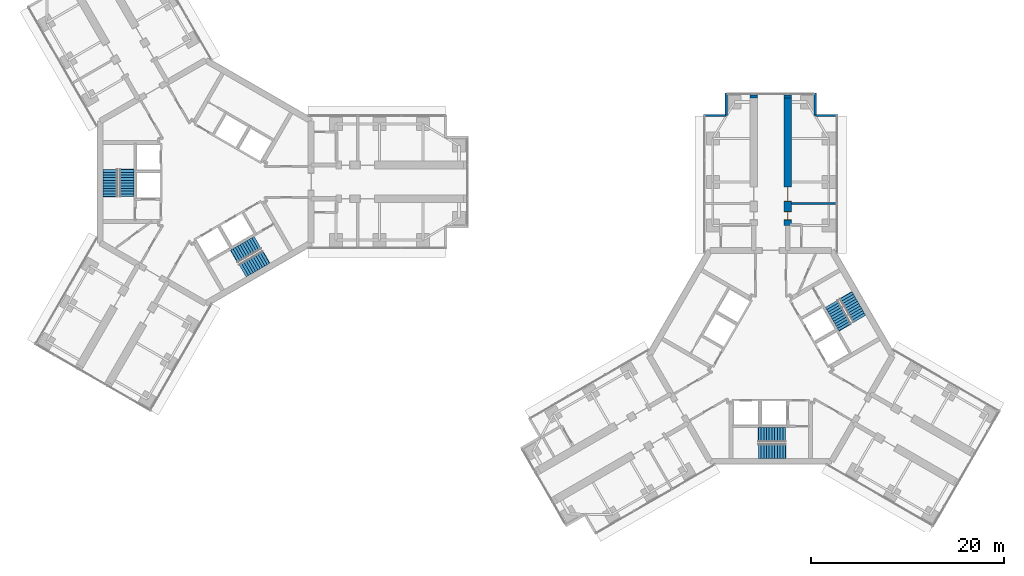
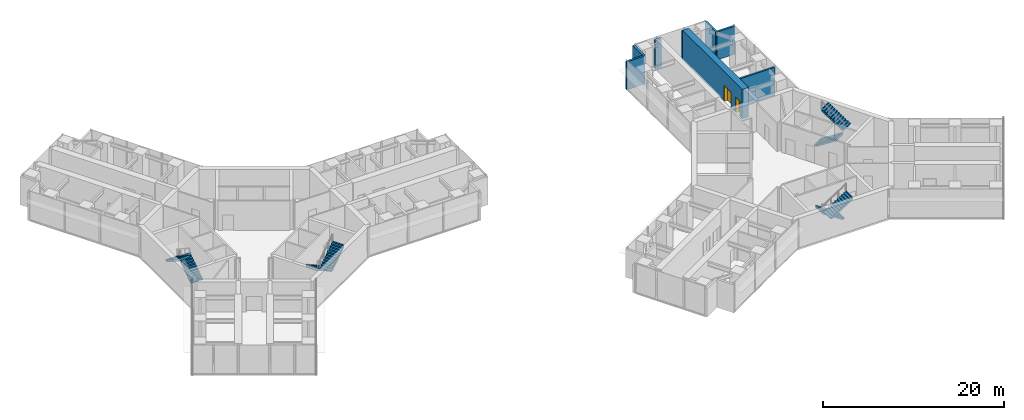
# One storey, part 20 of 21: 8 stair flights, 8 walls, 2 doors, 2 openings, 4 elements without a shape of their own.
"""IFC4 building model written with IfcOpenShell, lengths in metres."""

from ifc_helpers import new_model, si_unit, direction, frame, frame_2d, origin, place, context, subcontext, project, spatial, polyline, rectangle, outline, extrude, material, layer, layer_set, type_object, element, fill, aggregate, save


model = new_model("IFC4")

# Units and contexts
model_context = context("Model", 3, precision=1e-05, world=origin(), true_north=direction((0.0, 1.0)))
body_context = subcontext(model_context, "Body", "Model", "MODEL_VIEW")
ifc_project = project(units=[si_unit("LENGTHUNIT", "METRE"), si_unit("AREAUNIT", "SQUARE_METRE"), si_unit("VOLUMEUNIT", "CUBIC_METRE"), si_unit("PLANEANGLEUNIT", "RADIAN"), si_unit("MASSUNIT", "GRAM", prefix="KILO")], contexts=[model_context])

# Site, building, storey
site_placement = place(None, origin())
site = spatial("IfcSite", under=ifc_project, at=site_placement, CompositionType="ELEMENT")
building_placement = place(site_placement, origin())
building = spatial("IfcBuilding", under=site, at=building_placement, Name="Upepo Twin Towers", CompositionType="ELEMENT")
storey_placement = place(building_placement, frame((0.0, 0.0, 101.5)))
storey = spatial("IfcBuildingStorey", under=building, at=storey_placement, Name="L24", CompositionType="ELEMENT", Elevation=101.5)

# Walls
ifc_material_1 = material(Name="Concrete blockwork, plastered both faces", Category="masonry")
ifc_layer_1 = layer(ifc_material_1, 0.215087890625)
ifc_layer_set_1 = layer_set([ifc_layer_1], Name="Blockwork partition 215")
wall_type_1 = type_object("IfcWallType", Name="Blockwork partition 215", PredefinedType="PARTITIONING", material=ifc_layer_set_1)
wall_1_placement = place(storey_placement, frame((60.64990234375, -2.25, 0.0), z_axis=(0.0, 0.0, 1.0), x_axis=(1.0, 0.0, 0.0)))
element("IfcWall", 1, at=wall_1_placement, inside=storey, type_object=wall_type_1, Name="T2 partition AR at 15.75", PredefinedType="PARTITIONING", context=body_context, shape_type="SweptSolid", body=[
    extrude(rectangle(XDim=4.60009765625, YDim=0.215087890625, at=frame_2d((2.300048828125, 0.0))), origin(), (0.0, 0.0, 1.0), 3.800048828125),
])
ifc_material_2 = material(Name="Dense concrete blockwork", Category="masonry")
ifc_layer_2 = layer(ifc_material_2, 0.800048828125)
ifc_layer_set_2 = layer_set([ifc_layer_2], Name="Buttress closer 800, blockwork with fire-stopping to the curtain wall")
wall_type_2 = type_object("IfcWallType", Name="Buttress closer 800, blockwork with fire-stopping to the curtain wall", PredefinedType="PARTITIONING", material=ifc_layer_set_2)
for number, where, z_axis, x_axis, name in (
    (2, (56.75, 8.699951171875, 0.0), (0.0, 0.0, 1.0), (0.0, 1.0, 0.0), "T2 L24 wing A buttress closer L"),
    (3, (60.25, 8.699951171875, 0.0), (0.0, 0.0, 1.0), (0.0, 1.0, 0.0), "T2 L24 wing A buttress closer R"),
):
    element("IfcWall", number, at=place(storey_placement, frame(where, z_axis=z_axis, x_axis=x_axis)), inside=storey, type_object=wall_type_2, Name=name, PredefinedType="PARTITIONING", context=body_context, shape_type="SweptSolid", body=[
        extrude(rectangle(XDim=0.300048828125, YDim=0.800048828125, at=frame_2d((0.14990234375, 0.0))), origin(), (0.0, 0.0, 1.0), 3.800048828125),
    ])

# Wall, openings, doors
ifc_material_3 = material(Name="Concrete C60/75", Category="concrete")
ifc_layer_3 = layer(ifc_material_3, 0.800048828125)
ifc_layer_set_3 = layer_set([ifc_layer_3], Name="Concrete C60/75")
wall_type_3 = type_object("IfcWallType", Name="Buttress wall 800 RC", PredefinedType="SHEAR", material=ifc_layer_set_3)
wall_2_placement = place(storey_placement, frame((60.25, -4.5, 0.0), z_axis=(0.0, 0.0, 1.0), x_axis=(0.0, 1.0, 0.0)))
wall_2 = element("IfcWall", 4, at=wall_2_placement, inside=storey, type_object=wall_type_3, Name="T2 wing A buttress wall R part 2", PredefinedType="SHEAR", context=body_context, shape_type="SweptSolid", body=[
    extrude(rectangle(XDim=13.199951171875, YDim=0.800048828125, at=frame_2d((6.60009765625, 0.0))), origin(), (0.0, 0.0, 1.0), 4.0),
])
opening_1_placement = place(wall_2_placement, frame((0.550048828125, 0.0, 0.0)))
opening_1 = element("IfcOpeningElement", 5, at=opening_1_placement, cuts=wall_2, Name="Opening D11", PredefinedType="OPENING", context=body_context, shape_type="SweptSolid", body=[
    extrude(rectangle(XDim=0.89990234375, YDim=2.10009765625, at=frame_2d((0.449951171875, 1.050048828125))), frame((0.0, 0.409912109375, 0.0), z_axis=(0.0, -1.0, 0.0), x_axis=(1.0, 0.0, 0.0)), (0.0, 0.0, 1.0), 0.820068359375),
])
opening_2_placement = place(wall_2_placement, frame((2.5, 0.0, 0.0)))
opening_2 = element("IfcOpeningElement", 6, at=opening_2_placement, cuts=wall_2, Name="Opening D13", PredefinedType="OPENING", context=body_context, shape_type="SweptSolid", body=[
    extrude(rectangle(XDim=1.5, YDim=2.10009765625, at=frame_2d((0.75, 1.050048828125))), frame((0.0, 0.409912109375, 0.0), z_axis=(0.0, -1.0, 0.0), x_axis=(1.0, 0.0, 0.0)), (0.0, 0.0, 1.0), 0.820068359375),
])
ifc_material_4 = material(Name="Timber doorset", Category="wood")
door_type_1 = type_object("IfcDoorType", Name="Double door 1500 FD30", OperationType="DOUBLE_DOOR_SINGLE_SWING", PredefinedType="DOOR", material=ifc_material_4)
door_1_placement = place(opening_2_placement, origin())
door_1 = element("IfcDoor", 7, at=door_1_placement, inside=storey, type_object=door_type_1, Name="T2 L24 moot court door", OperationType="DOUBLE_DOOR_SINGLE_SWING", OverallHeight=2.10009765625, OverallWidth=1.5, PredefinedType="DOOR", context=body_context, shape_type="SweptSolid", body=[
    extrude(rectangle(XDim=1.42, YDim=2.06009765625, at=frame_2d((0.75, 1.030029296875))), frame((0.0, 0.02490234375, 0.0), z_axis=(0.0, -1.0, 0.0), x_axis=(1.0, 0.0, 0.0)), (0.0, 0.0, 1.0), 0.050048828125),
    extrude(rectangle(XDim=0.04, YDim=2.10009765625, at=frame_2d((0.02001953125, 1.050048828125))), frame((0.0, 0.39990234375, 0.0), z_axis=(0.0, -1.0, 0.0), x_axis=(1.0, 0.0, 0.0)), (0.0, 0.0, 1.0), 0.799560546875),
    extrude(rectangle(XDim=0.04, YDim=2.10009765625, at=frame_2d((1.47998046875, 1.050048828125))), frame((0.0, 0.39990234375, 0.0), z_axis=(0.0, -1.0, 0.0), x_axis=(1.0, 0.0, 0.0)), (0.0, 0.0, 1.0), 0.799560546875),
    extrude(rectangle(XDim=1.42, YDim=0.04, at=frame_2d((0.75, 2.080078125))), frame((0.0, 0.39990234375, 0.0), z_axis=(0.0, -1.0, 0.0), x_axis=(1.0, 0.0, 0.0)), (0.0, 0.0, 1.0), 0.799560546875),
])
fill(opening_2, door_1)
ifc_material_5 = material(Name="Timber doorset", Category="wood")
door_type_2 = type_object("IfcDoorType", Name="Toilet door 900", OperationType="SINGLE_SWING_LEFT", PredefinedType="DOOR", material=ifc_material_5)
door_2_placement = place(opening_1_placement, origin())
door_2 = element("IfcDoor", 8, at=door_2_placement, inside=storey, type_object=door_type_2, Name="T2 L24 toilets door", OperationType="SINGLE_SWING_LEFT", OverallHeight=2.10009765625, OverallWidth=0.89990234375, PredefinedType="DOOR", context=body_context, shape_type="SweptSolid", body=[
    extrude(rectangle(XDim=0.81990234375, YDim=2.06009765625, at=frame_2d((0.449951171875, 1.030029296875))), frame((0.0, 0.02490234375, 0.0), z_axis=(0.0, -1.0, 0.0), x_axis=(1.0, 0.0, 0.0)), (0.0, 0.0, 1.0), 0.050048828125),
    extrude(rectangle(XDim=0.04, YDim=2.10009765625, at=frame_2d((0.02001953125, 1.050048828125))), frame((0.0, 0.39990234375, 0.0), z_axis=(0.0, -1.0, 0.0), x_axis=(1.0, 0.0, 0.0)), (0.0, 0.0, 1.0), 0.799560546875),
    extrude(rectangle(XDim=0.04, YDim=2.10009765625, at=frame_2d((0.8798828125, 1.050048828125))), frame((0.0, 0.39990234375, 0.0), z_axis=(0.0, -1.0, 0.0), x_axis=(1.0, 0.0, 0.0)), (0.0, 0.0, 1.0), 0.799560546875),
    extrude(rectangle(XDim=0.81990234375, YDim=0.04, at=frame_2d((0.449951171875, 2.080078125))), frame((0.0, 0.39990234375, 0.0), z_axis=(0.0, -1.0, 0.0), x_axis=(1.0, 0.0, 0.0)), (0.0, 0.0, 1.0), 0.799560546875),
])
fill(opening_1, door_2)

# Walls
ifc_material_6 = material(Name="Blockwork with anodised aluminium cladding", Category="masonry")
ifc_layer_4 = layer(ifc_material_6, 0.25)
ifc_layer_set_4 = layer_set([ifc_layer_4], Name="Notch cladding wall 250, pale metal")
wall_type_4 = type_object("IfcWallType", Name="Notch cladding wall 250, pale metal", PredefinedType="STANDARD", material=ifc_layer_set_4)
for number, where, z_axis, x_axis, name in (
    (9, (51.550048828125, 6.875, 0.0), (0.0, 0.0, 1.0), (1.0, 0.0, 0.0), "T2 L24 wing A notch wall L1"),
    (10, (53.875, 6.875, 0.0), (0.0, 0.0, 1.0), (0.0, 1.0, 0.0), "T2 L24 wing A notch wall L2"),
    (11, (65.449951171875, 6.875, 0.0), (0.0, 0.0, 1.0), (-1.0, 0.0, 0.0), "T2 L24 wing A notch wall R1"),
    (12, (63.125, 6.875, 0.0), (0.0, 0.0, 1.0), (0.0, 1.0, 0.0), "T2 L24 wing A notch wall R2"),
):
    element("IfcWall", number, at=place(storey_placement, frame(where, z_axis=z_axis, x_axis=x_axis)), inside=storey, type_object=wall_type_4, Name=name, PredefinedType="STANDARD", context=body_context, shape_type="SweptSolid", body=[
        extrude(rectangle(XDim=2.324951171875, YDim=0.25, at=frame_2d((1.16259765625, 0.0))), origin(), (0.0, 0.0, 1.0), 3.800048828125),
    ])

# Stair, stair flights
ifc_material_7 = material(Name="Concrete C40/50", Category="concrete")
stair_type = type_object("IfcStairType", Name="Core stair, two flights", PredefinedType="HALF_TURN_STAIR", material=ifc_material_7)
stair_1_placement = place(storey_placement, origin())
stair_1 = element("IfcStair", 13, at=stair_1_placement, inside=storey, type_object=stair_type, Name="T1 stair S1 L24", PredefinedType="HALF_TURN_STAIR")
ifc_material_8 = material(Name="Concrete C40/50", Category="concrete")
stair_flight_type = type_object("IfcStairFlightType", Name="Stair flight 1500 RC", PredefinedType="STRAIGHT", material=ifc_material_8)
stair_flight_1_placement = place(storey_placement, frame((-8.14990234375, -1.52001953125, 0.0), z_axis=(0.0, 0.0, 1.0), x_axis=(0.0, 1.0, 0.0)))
stair_flight_1 = element("IfcStairFlight", 14, at=stair_flight_1_placement, type_object=stair_flight_type, Name="Stair S1 flight 1", NumberOfRisers=11, NumberOfTreads=10, PredefinedType="STRAIGHT", RiserHeight=0.181818182, TreadLength=0.28, context=body_context, shape_type="SweptSolid", body=[
    extrude(outline(polyline([(0.0, 0.0), (0.0, 0.181884765625), (0.280029296875, 0.181884765625), (0.280029296875, 0.363525390625), (0.56005859375, 0.363525390625), (0.56005859375, 0.54541015625), (0.840087890625, 0.54541015625), (0.840087890625, 0.727294921875), (1.1201171875, 0.727294921875), (1.1201171875, 0.9091796875), (1.39990234375, 0.9091796875), (1.39990234375, 1.0908203125), (1.679931640625, 1.0908203125), (1.679931640625, 1.272705078125), (1.9599609375, 1.272705078125), (1.9599609375, 1.45458984375), (2.239990234375, 1.45458984375), (2.239990234375, 1.636474609375), (2.52001953125, 1.636474609375), (2.52001953125, 1.818115234375), (2.800048828125, 1.818115234375), (2.800048828125, 2.0), (2.85009765625, 2.0), (2.85009765625, 1.639404296875), (0.3251953125, 0.0), (0.0, 0.0)])), frame((0.0, 0.75, 0.0), z_axis=(0.0, -1.0, 0.0), x_axis=(1.0, 0.0, 0.0)), (0.0, 0.0, 1.0), 1.5),
])
stair_flight_2_placement = place(storey_placement, frame((-9.8583984375, 1.280029296875, 2.0), z_axis=(0.0, 0.0, 1.0), x_axis=(0.0, -1.0, 0.0)))
stair_flight_2 = element("IfcStairFlight", 15, at=stair_flight_2_placement, type_object=stair_flight_type, Name="Stair S1 flight 2", NumberOfRisers=11, NumberOfTreads=10, PredefinedType="STRAIGHT", RiserHeight=0.181818182, TreadLength=0.28, context=body_context, shape_type="SweptSolid", body=[
    extrude(outline(polyline([(0.0, 0.0), (0.0, 0.181884765625), (0.280029296875, 0.181884765625), (0.280029296875, 0.363525390625), (0.56005859375, 0.363525390625), (0.56005859375, 0.54541015625), (0.840087890625, 0.54541015625), (0.840087890625, 0.727294921875), (1.1201171875, 0.727294921875), (1.1201171875, 0.9091796875), (1.39990234375, 0.9091796875), (1.39990234375, 1.0908203125), (1.679931640625, 1.0908203125), (1.679931640625, 1.272705078125), (1.9599609375, 1.272705078125), (1.9599609375, 1.45458984375), (2.239990234375, 1.45458984375), (2.239990234375, 1.636474609375), (2.52001953125, 1.636474609375), (2.52001953125, 1.818115234375), (2.800048828125, 1.818115234375), (2.800048828125, 2.0), (2.85009765625, 2.0), (2.85009765625, 1.639404296875), (0.3251953125, 0.0), (0.0, 0.0)])), frame((0.0, 0.75, 0.0), z_axis=(0.0, -1.0, 0.0), x_axis=(1.0, 0.0, 0.0)), (0.0, 0.0, 1.0), 1.5),
])
aggregate(stair_1, [stair_flight_1, stair_flight_2])

stair_2_placement = place(storey_placement, origin())
stair_2 = element("IfcStair", 16, at=stair_2_placement, inside=storey, type_object=stair_type, Name="T1 stair S2 L24", PredefinedType="HALF_TURN_STAIR")
stair_flight_3_placement = place(storey_placement, frame((5.391357421875, -6.298095703125, 0.0), z_axis=(0.0, 0.0, 1.0), x_axis=(-0.866025403784, -0.5, 0.0)))
stair_flight_3 = element("IfcStairFlight", 17, at=stair_flight_3_placement, type_object=stair_flight_type, Name="Stair S2 flight 1", NumberOfRisers=11, NumberOfTreads=10, PredefinedType="STRAIGHT", RiserHeight=0.181818182, TreadLength=0.28, context=body_context, shape_type="SweptSolid", body=[
    extrude(outline(polyline([(0.0, 0.0), (0.0, 0.181884765625), (0.280029296875, 0.181884765625), (0.280029296875, 0.363525390625), (0.56005859375, 0.363525390625), (0.56005859375, 0.54541015625), (0.840087890625, 0.54541015625), (0.840087890625, 0.727294921875), (1.1201171875, 0.727294921875), (1.1201171875, 0.9091796875), (1.39990234375, 0.9091796875), (1.39990234375, 1.0908203125), (1.679931640625, 1.0908203125), (1.679931640625, 1.272705078125), (1.9599609375, 1.272705078125), (1.9599609375, 1.45458984375), (2.239990234375, 1.45458984375), (2.239990234375, 1.636474609375), (2.52001953125, 1.636474609375), (2.52001953125, 1.818115234375), (2.800048828125, 1.818115234375), (2.800048828125, 2.0), (2.85009765625, 2.0), (2.85009765625, 1.639404296875), (0.3251953125, 0.0), (0.0, 0.0)])), frame((0.0, 0.75, 0.0), z_axis=(0.0, -1.0, 0.0), x_axis=(1.0, 0.0, 0.0)), (0.0, 0.0, 1.0), 1.5),
])
stair_flight_4_placement = place(storey_placement, frame((3.820556640625, -9.177490234375, 2.0), z_axis=(0.0, 0.0, 1.0), x_axis=(0.866025403784, 0.5, 0.0)))
stair_flight_4 = element("IfcStairFlight", 18, at=stair_flight_4_placement, type_object=stair_flight_type, Name="Stair S2 flight 2", NumberOfRisers=11, NumberOfTreads=10, PredefinedType="STRAIGHT", RiserHeight=0.181818182, TreadLength=0.28, context=body_context, shape_type="SweptSolid", body=[
    extrude(outline(polyline([(0.0, 0.0), (0.0, 0.181884765625), (0.280029296875, 0.181884765625), (0.280029296875, 0.363525390625), (0.56005859375, 0.363525390625), (0.56005859375, 0.54541015625), (0.840087890625, 0.54541015625), (0.840087890625, 0.727294921875), (1.1201171875, 0.727294921875), (1.1201171875, 0.9091796875), (1.39990234375, 0.9091796875), (1.39990234375, 1.0908203125), (1.679931640625, 1.0908203125), (1.679931640625, 1.272705078125), (1.9599609375, 1.272705078125), (1.9599609375, 1.45458984375), (2.239990234375, 1.45458984375), (2.239990234375, 1.636474609375), (2.52001953125, 1.636474609375), (2.52001953125, 1.818115234375), (2.800048828125, 1.818115234375), (2.800048828125, 2.0), (2.85009765625, 2.0), (2.85009765625, 1.639404296875), (0.3251953125, 0.0), (0.0, 0.0)])), frame((0.0, 0.75, 0.0), z_axis=(0.0, -1.0, 0.0), x_axis=(1.0, 0.0, 0.0)), (0.0, 0.0, 1.0), 1.5),
])
aggregate(stair_2, [stair_flight_3, stair_flight_4])

stair_3_placement = place(storey_placement, origin())
stair_3 = element("IfcStair", 19, at=stair_3_placement, inside=storey, type_object=stair_type, Name="T2 stair S1 L24", PredefinedType="HALF_TURN_STAIR")
stair_flight_5_placement = place(storey_placement, frame((60.02001953125, -26.14990234375, 0.0), z_axis=(0.0, 0.0, 1.0), x_axis=(-1.0, 0.0, 0.0)))
stair_flight_5 = element("IfcStairFlight", 20, at=stair_flight_5_placement, type_object=stair_flight_type, Name="Stair S1 flight 1", NumberOfRisers=11, NumberOfTreads=10, PredefinedType="STRAIGHT", RiserHeight=0.181818182, TreadLength=0.28, context=body_context, shape_type="SweptSolid", body=[
    extrude(outline(polyline([(0.0, 0.0), (0.0, 0.181884765625), (0.280029296875, 0.181884765625), (0.280029296875, 0.363525390625), (0.56005859375, 0.363525390625), (0.56005859375, 0.54541015625), (0.840087890625, 0.54541015625), (0.840087890625, 0.727294921875), (1.1201171875, 0.727294921875), (1.1201171875, 0.9091796875), (1.39990234375, 0.9091796875), (1.39990234375, 1.0908203125), (1.679931640625, 1.0908203125), (1.679931640625, 1.272705078125), (1.9599609375, 1.272705078125), (1.9599609375, 1.45458984375), (2.239990234375, 1.45458984375), (2.239990234375, 1.636474609375), (2.52001953125, 1.636474609375), (2.52001953125, 1.818115234375), (2.800048828125, 1.818115234375), (2.800048828125, 2.0), (2.85009765625, 2.0), (2.85009765625, 1.639404296875), (0.3251953125, 0.0), (0.0, 0.0)])), frame((0.0, 0.75, 0.0), z_axis=(0.0, -1.0, 0.0), x_axis=(1.0, 0.0, 0.0)), (0.0, 0.0, 1.0), 1.5),
])
stair_flight_6_placement = place(storey_placement, frame((57.219970703125, -27.8583984375, 2.0), z_axis=(0.0, 0.0, 1.0), x_axis=(1.0, 0.0, 0.0)))
stair_flight_6 = element("IfcStairFlight", 21, at=stair_flight_6_placement, type_object=stair_flight_type, Name="Stair S1 flight 2", NumberOfRisers=11, NumberOfTreads=10, PredefinedType="STRAIGHT", RiserHeight=0.181818182, TreadLength=0.28, context=body_context, shape_type="SweptSolid", body=[
    extrude(outline(polyline([(0.0, 0.0), (0.0, 0.181884765625), (0.280029296875, 0.181884765625), (0.280029296875, 0.363525390625), (0.56005859375, 0.363525390625), (0.56005859375, 0.54541015625), (0.840087890625, 0.54541015625), (0.840087890625, 0.727294921875), (1.1201171875, 0.727294921875), (1.1201171875, 0.9091796875), (1.39990234375, 0.9091796875), (1.39990234375, 1.0908203125), (1.679931640625, 1.0908203125), (1.679931640625, 1.272705078125), (1.9599609375, 1.272705078125), (1.9599609375, 1.45458984375), (2.239990234375, 1.45458984375), (2.239990234375, 1.636474609375), (2.52001953125, 1.636474609375), (2.52001953125, 1.818115234375), (2.800048828125, 1.818115234375), (2.800048828125, 2.0), (2.85009765625, 2.0), (2.85009765625, 1.639404296875), (0.3251953125, 0.0), (0.0, 0.0)])), frame((0.0, 0.75, 0.0), z_axis=(0.0, -1.0, 0.0), x_axis=(1.0, 0.0, 0.0)), (0.0, 0.0, 1.0), 1.5),
])
aggregate(stair_3, [stair_flight_5, stair_flight_6])

stair_4_placement = place(storey_placement, origin())
stair_4 = element("IfcStair", 22, at=stair_4_placement, inside=storey, type_object=stair_type, Name="T2 stair S2 L24", PredefinedType="HALF_TURN_STAIR")
stair_flight_7_placement = place(storey_placement, frame((64.798095703125, -12.608642578125, 0.0), z_axis=(0.0, 0.0, 1.0), x_axis=(0.5, -0.866025403784, 0.0)))
stair_flight_7 = element("IfcStairFlight", 23, at=stair_flight_7_placement, type_object=stair_flight_type, Name="Stair S2 flight 1", NumberOfRisers=11, NumberOfTreads=10, PredefinedType="STRAIGHT", RiserHeight=0.181818182, TreadLength=0.28, context=body_context, shape_type="SweptSolid", body=[
    extrude(outline(polyline([(0.0, 0.0), (0.0, 0.181884765625), (0.280029296875, 0.181884765625), (0.280029296875, 0.363525390625), (0.56005859375, 0.363525390625), (0.56005859375, 0.54541015625), (0.840087890625, 0.54541015625), (0.840087890625, 0.727294921875), (1.1201171875, 0.727294921875), (1.1201171875, 0.9091796875), (1.39990234375, 0.9091796875), (1.39990234375, 1.0908203125), (1.679931640625, 1.0908203125), (1.679931640625, 1.272705078125), (1.9599609375, 1.272705078125), (1.9599609375, 1.45458984375), (2.239990234375, 1.45458984375), (2.239990234375, 1.636474609375), (2.52001953125, 1.636474609375), (2.52001953125, 1.818115234375), (2.800048828125, 1.818115234375), (2.800048828125, 2.0), (2.85009765625, 2.0), (2.85009765625, 1.639404296875), (0.3251953125, 0.0), (0.0, 0.0)])), frame((0.0, 0.75, 0.0), z_axis=(0.0, -1.0, 0.0), x_axis=(1.0, 0.0, 0.0)), (0.0, 0.0, 1.0), 1.5),
])
stair_flight_8_placement = place(storey_placement, frame((67.677490234375, -14.179443359375, 2.0), z_axis=(0.0, 0.0, 1.0), x_axis=(-0.5, 0.866025403784, 0.0)))
stair_flight_8 = element("IfcStairFlight", 24, at=stair_flight_8_placement, type_object=stair_flight_type, Name="Stair S2 flight 2", NumberOfRisers=11, NumberOfTreads=10, PredefinedType="STRAIGHT", RiserHeight=0.181818182, TreadLength=0.28, context=body_context, shape_type="SweptSolid", body=[
    extrude(outline(polyline([(0.0, 0.0), (0.0, 0.181884765625), (0.280029296875, 0.181884765625), (0.280029296875, 0.363525390625), (0.56005859375, 0.363525390625), (0.56005859375, 0.54541015625), (0.840087890625, 0.54541015625), (0.840087890625, 0.727294921875), (1.1201171875, 0.727294921875), (1.1201171875, 0.9091796875), (1.39990234375, 0.9091796875), (1.39990234375, 1.0908203125), (1.679931640625, 1.0908203125), (1.679931640625, 1.272705078125), (1.9599609375, 1.272705078125), (1.9599609375, 1.45458984375), (2.239990234375, 1.45458984375), (2.239990234375, 1.636474609375), (2.52001953125, 1.636474609375), (2.52001953125, 1.818115234375), (2.800048828125, 1.818115234375), (2.800048828125, 2.0), (2.85009765625, 2.0), (2.85009765625, 1.639404296875), (0.3251953125, 0.0), (0.0, 0.0)])), frame((0.0, 0.75, 0.0), z_axis=(0.0, -1.0, 0.0), x_axis=(1.0, 0.0, 0.0)), (0.0, 0.0, 1.0), 1.5),
])
aggregate(stair_4, [stair_flight_7, stair_flight_8])

save(model, "model.ifc")
